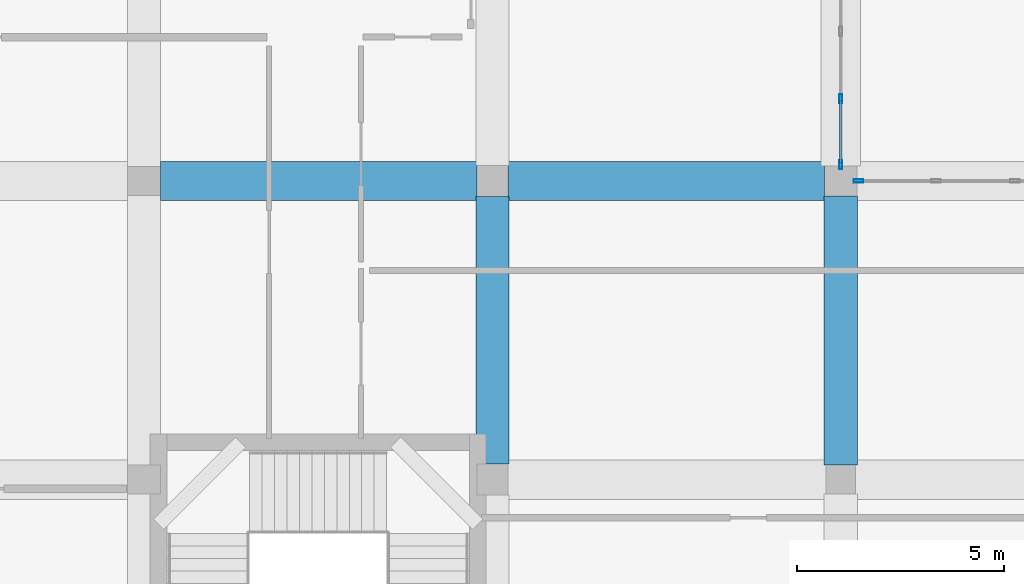
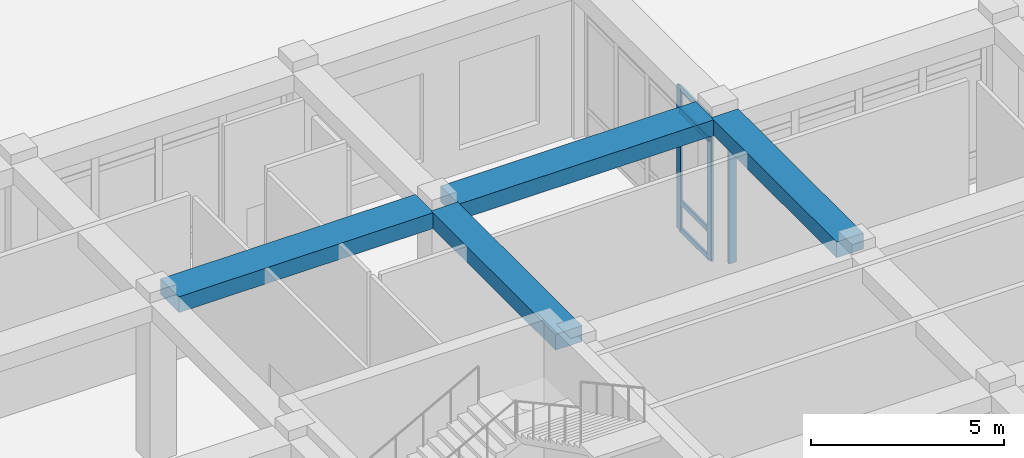
# One storey, part 46 of 84: 7 members, 4 beams, 2 elements without a shape of their own.
"""IFC4 building model written with IfcOpenShell, lengths in metres."""

from ifc_helpers import new_model, si_unit, derived_unit, direction, frame, origin, origin_2d, place, context, subcontext, project, spatial, rectangle, hollow_rectangle, extrude, material, material_profile, profile_set, type_object, element, aggregate, save


model = new_model("IFC4")

# Units and contexts
model_context = context("Model", 3, precision=1e-05, world=origin(), true_north=direction((0.0, 1.0)))
body_context = subcontext(model_context, "Body", "Model", "MODEL_VIEW")
ifc_project = project(units=[si_unit("LENGTHUNIT", "METRE"), si_unit("AREAUNIT", "SQUARE_METRE"), si_unit("VOLUMEUNIT", "CUBIC_METRE"), si_unit("PLANEANGLEUNIT", "RADIAN"), si_unit("MASSUNIT", "GRAM", prefix="KILO"), derived_unit("THERMALTRANSMITTANCEUNIT", [(si_unit("POWERUNIT", "WATT"), 1), (si_unit("LENGTHUNIT", "METRE"), -2), (si_unit("THERMODYNAMICTEMPERATUREUNIT", "KELVIN"), -1)])], contexts=[model_context])

# Site, building, storey
site_placement = place(None, origin())
site = spatial("IfcSite", under=ifc_project, at=site_placement, CompositionType="ELEMENT")
building_placement = place(site_placement, origin())
building = spatial("IfcBuilding", under=site, at=building_placement, Name="Veybourne Emporium", CompositionType="ELEMENT")
storey_placement = place(building_placement, origin())
storey = spatial("IfcBuildingStorey", under=building, at=storey_placement, Name="L00", CompositionType="ELEMENT", Elevation=0.0)

# Curtain wall, member
ifc_material_1 = material(Name="Patinated Architectural Bronze", Category="bronze")
curtain_wall_type_1 = type_object("IfcCurtainWallType", Name="CWSystem_CWS-19", PredefinedType="NOTDEFINED", material=ifc_material_1)
curtain_wall_1_placement = place(storey_placement, origin())
curtain_wall_1 = element("IfcCurtainWall", 1, at=curtain_wall_1_placement, inside=storey, type_object=curtain_wall_type_1, Name="L00 bronze glazed curtain wall CWS-19 (072)", PredefinedType="NOTDEFINED")
ifc_material_profile_1 = material_profile(ifc_material_1, hollow_rectangle(XDim=0.077880859375, YDim=0.235107421875, WallThickness=0.0048828125, InnerFilletRadius=0.007568359375, OuterFilletRadius=0.012451171875, at=origin_2d()), Name="CWM 78x235x5")
ifc_profile_set_1 = profile_set([ifc_material_profile_1], Name="Patinated Architectural Bronze")
member_type_1 = type_object("IfcMemberType", Name="CWMullion_CW-M3", PredefinedType="MULLION", material=ifc_profile_set_1)
member_1_placement = place(storey_placement, frame((143.22900390625, 21.60009765625, 0.0), z_axis=(0.0, 0.0, 1.0), x_axis=(0.0, 1.0, 0.0)))
member_1 = element("IfcMember", 2, at=member_1_placement, type_object=member_type_1, Name="CWS-19 mullion 1", PredefinedType="MULLION", context=body_context, shape_type="SweptSolid", body=[
    extrude(hollow_rectangle(XDim=0.077880859375, YDim=0.235107421875, WallThickness=0.0048828125, InnerFilletRadius=0.007568359375, OuterFilletRadius=0.012451171875, at=origin_2d()), origin(), (0.0, 0.0, 1.0), 4.530029296875),
])
aggregate(curtain_wall_1, [member_1])

# Curtain wall, members
curtain_wall_type_2 = type_object("IfcCurtainWallType", Name="CWSystem_CWS-16", PredefinedType="NOTDEFINED", material=ifc_material_1)
curtain_wall_2_placement = place(storey_placement, origin())
curtain_wall_2 = element("IfcCurtainWall", 3, at=curtain_wall_2_placement, inside=storey, type_object=curtain_wall_type_2, Name="L00 bronze glazed curtain wall CWS-16 (068)", PredefinedType="NOTDEFINED")
ifc_material_profile_2 = material_profile(ifc_material_1, hollow_rectangle(XDim=0.070068359375, YDim=0.219970703125, WallThickness=0.0048828125, InnerFilletRadius=0.007568359375, OuterFilletRadius=0.012451171875, at=origin_2d()), Name="CWM 70x220x5")
ifc_profile_set_2 = profile_set([ifc_material_profile_2], Name="Patinated Architectural Bronze")
member_type_2 = type_object("IfcMemberType", Name="CWMullion_CW-M4", PredefinedType="MULLION", material=ifc_profile_set_2)
member_2_placement = place(storey_placement, frame((142.800048828125, 23.58251953125, 0.0), z_axis=(0.0, 0.0, 1.0), x_axis=(1.0, 0.0, 0.0)))
member_2 = element("IfcMember", 4, at=member_2_placement, type_object=member_type_2, Name="CWS-16 mullion 4", PredefinedType="MULLION", context=body_context, shape_type="SweptSolid", body=[
    extrude(hollow_rectangle(XDim=0.070068359375, YDim=0.219970703125, WallThickness=0.0048828125, InnerFilletRadius=0.007568359375, OuterFilletRadius=0.012451171875, at=origin_2d()), origin(), (0.0, 0.0, 1.0), 4.530029296875),
])
member_3_placement = place(storey_placement, frame((142.800048828125, 21.9951171875, 0.0), z_axis=(0.0, 0.0, 1.0), x_axis=(1.0, 0.0, 0.0)))
member_3 = element("IfcMember", 5, at=member_3_placement, type_object=member_type_2, Name="CWS-16 mullion 5", PredefinedType="MULLION", context=body_context, shape_type="SweptSolid", body=[
    extrude(hollow_rectangle(XDim=0.070068359375, YDim=0.219970703125, WallThickness=0.0048828125, InnerFilletRadius=0.007568359375, OuterFilletRadius=0.012451171875, at=origin_2d()), origin(), (0.0, 0.0, 1.0), 4.530029296875),
])
ifc_material_profile_3 = material_profile(ifc_material_1, hollow_rectangle(XDim=0.070068359375, YDim=0.169921875, WallThickness=0.0048828125, InnerFilletRadius=0.007568359375, OuterFilletRadius=0.012451171875, at=origin_2d()), Name="CWT 70x170x5")
ifc_profile_set_3 = profile_set([ifc_material_profile_3], Name="Patinated Architectural Bronze")
member_type_3 = type_object("IfcMemberType", Name="CWTransom_CW-T4", PredefinedType="NOTDEFINED", material=ifc_profile_set_3)
member_4_placement = place(storey_placement, frame((142.800048828125, 23.547607421875, 0.034912109375), z_axis=(0.0, -1.0, 0.0), x_axis=(1.0, 0.0, 0.0)))
member_4 = element("IfcMember", 6, at=member_4_placement, type_object=member_type_3, Name="CWS-16 transom 4.1", ObjectType="TRANSOM", PredefinedType="USERDEFINED", context=body_context, shape_type="SweptSolid", body=[
    extrude(hollow_rectangle(XDim=0.070068359375, YDim=0.169921875, WallThickness=0.0048828125, InnerFilletRadius=0.007568359375, OuterFilletRadius=0.012451171875, at=origin_2d()), origin(), (0.0, 0.0, 1.0), 1.517578125),
])
member_5_placement = place(storey_placement, frame((142.800048828125, 23.547607421875, 0.89990234375), z_axis=(0.0, -1.0, 0.0), x_axis=(1.0, 0.0, 0.0)))
member_5 = element("IfcMember", 7, at=member_5_placement, type_object=member_type_3, Name="CWS-16 transom 4.2", ObjectType="TRANSOM", PredefinedType="USERDEFINED", context=body_context, shape_type="SweptSolid", body=[
    extrude(hollow_rectangle(XDim=0.070068359375, YDim=0.169921875, WallThickness=0.0048828125, InnerFilletRadius=0.007568359375, OuterFilletRadius=0.012451171875, at=origin_2d()), origin(), (0.0, 0.0, 1.0), 1.517578125),
])
member_6_placement = place(storey_placement, frame((142.800048828125, 23.547607421875, 3.780029296875), z_axis=(0.0, -1.0, 0.0), x_axis=(1.0, 0.0, 0.0)))
member_6 = element("IfcMember", 8, at=member_6_placement, type_object=member_type_3, Name="CWS-16 transom 4.3", ObjectType="TRANSOM", PredefinedType="USERDEFINED", context=body_context, shape_type="SweptSolid", body=[
    extrude(hollow_rectangle(XDim=0.070068359375, YDim=0.169921875, WallThickness=0.0048828125, InnerFilletRadius=0.007568359375, OuterFilletRadius=0.012451171875, at=origin_2d()), origin(), (0.0, 0.0, 1.0), 1.517578125),
])
member_7_placement = place(storey_placement, frame((142.800048828125, 23.547607421875, 4.4951171875), z_axis=(0.0, -1.0, 0.0), x_axis=(1.0, 0.0, 0.0)))
member_7 = element("IfcMember", 9, at=member_7_placement, type_object=member_type_3, Name="CWS-16 transom 4.4", ObjectType="TRANSOM", PredefinedType="USERDEFINED", context=body_context, shape_type="SweptSolid", body=[
    extrude(hollow_rectangle(XDim=0.070068359375, YDim=0.169921875, WallThickness=0.0048828125, InnerFilletRadius=0.007568359375, OuterFilletRadius=0.012451171875, at=origin_2d()), origin(), (0.0, 0.0, 1.0), 1.517578125),
])
aggregate(curtain_wall_2, [member_2, member_3, member_4, member_5, member_6, member_7])

# Beams
ifc_material_2 = material(Name="Concrete C32/40", Category="concrete")
ifc_material_profile_4 = material_profile(ifc_material_2, rectangle(XDim=0.949951171875, YDim=0.5, at=origin_2d()), Name="RC 950x500")
ifc_profile_set_4 = profile_set([ifc_material_profile_4], Name="Concrete C32/40")
beam_type_1 = type_object("IfcBeamType", Name="RCBeam_BB-01", PredefinedType="BEAM", material=ifc_profile_set_4)
beam_1_placement = place(storey_placement, frame((126.39990234375, 21.60009765625, 4.830078125), z_axis=(1.0, 0.0, 0.0), x_axis=(0.0, 1.0, 0.0)))
element("IfcBeam", 10, at=beam_1_placement, inside=storey, type_object=beam_type_1, Name="L00 X-grid beam BB-01 (15,3)", PredefinedType="BEAM", context=body_context, shape_type="SweptSolid", body=[
    extrude(rectangle(XDim=0.949951171875, YDim=0.5, at=origin_2d()), origin(), (0.0, 0.0, 1.0), 7.625),
])
beam_2_placement = place(storey_placement, frame((134.77490234375, 21.60009765625, 4.830078125), z_axis=(1.0, 0.0, 0.0), x_axis=(0.0, 1.0, 0.0)))
element("IfcBeam", 11, at=beam_2_placement, inside=storey, type_object=beam_type_1, Name="L00 X-grid beam BB-01 (16,3)", PredefinedType="BEAM", context=body_context, shape_type="SweptSolid", body=[
    extrude(rectangle(XDim=0.949951171875, YDim=0.5, at=origin_2d()), origin(), (0.0, 0.0, 1.0), 7.635009765625),
])
ifc_material_profile_5 = material_profile(ifc_material_2, rectangle(XDim=0.800048828125, YDim=0.5, at=origin_2d()), Name="RC 800x500")
ifc_profile_set_5 = profile_set([ifc_material_profile_5], Name="Concrete C32/40")
beam_type_2 = type_object("IfcBeamType", Name="RCBeam_BB-02", PredefinedType="BEAM", material=ifc_profile_set_5)
beam_3_placement = place(storey_placement, frame((134.39990234375, 14.77490234375, 4.830078125), z_axis=(0.0, 1.0, 0.0), x_axis=(-1.0, 0.0, 0.0)))
element("IfcBeam", 12, at=beam_3_placement, inside=storey, type_object=beam_type_2, Name="L00 Y-grid beam BB-02 (16,2)", PredefinedType="BEAM", context=body_context, shape_type="SweptSolid", body=[
    extrude(rectangle(XDim=0.800048828125, YDim=0.5, at=origin_2d()), origin(), (0.0, 0.0, 1.0), 6.4501953125),
])
beam_4_placement = place(storey_placement, frame((142.800048828125, 14.75, 4.830078125), z_axis=(0.0, 1.0, 0.0), x_axis=(-1.0, 0.0, 0.0)))
element("IfcBeam", 13, at=beam_4_placement, inside=storey, type_object=beam_type_2, Name="L00 Y-grid beam BB-02 (17,2)", PredefinedType="BEAM", context=body_context, shape_type="SweptSolid", body=[
    extrude(rectangle(XDim=0.800048828125, YDim=0.5, at=origin_2d()), origin(), (0.0, 0.0, 1.0), 6.489990234375),
])

save(model, "model.ifc")
